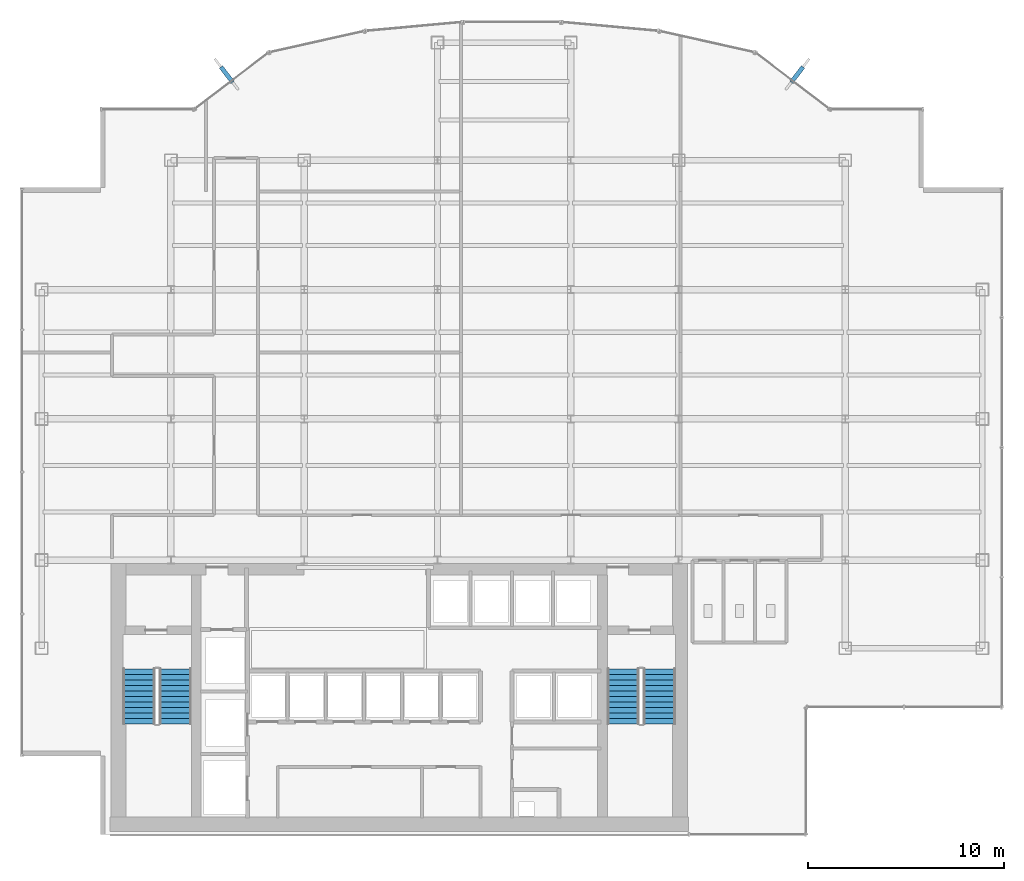
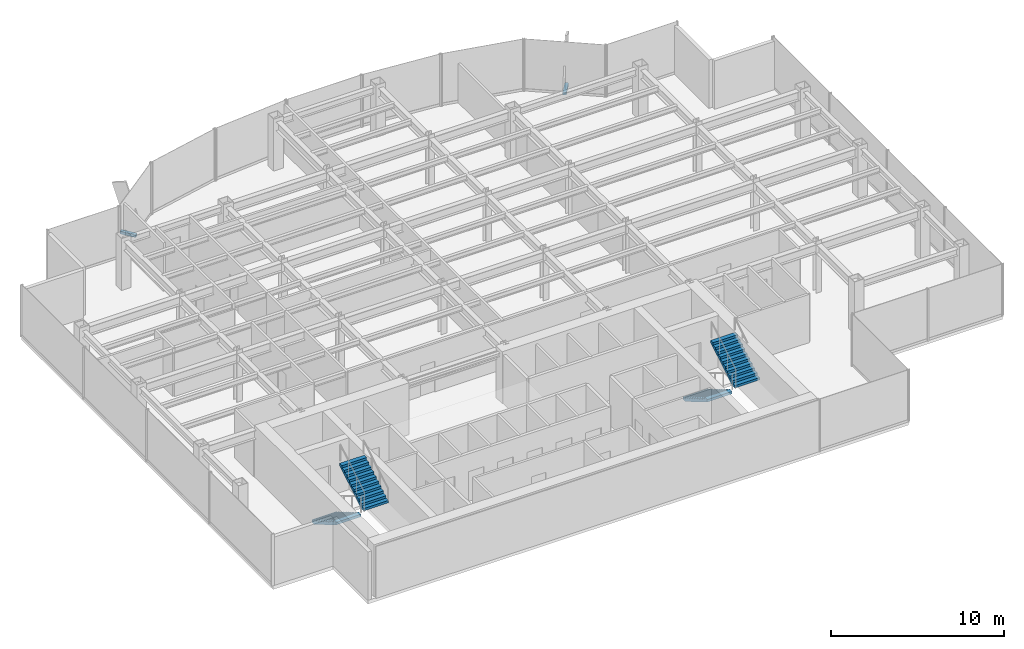
# One storey, part 22 of 25: 4 stair flights, 2 discrete accessories, 2 elements without a shape of their own.
"""IFC4 building model written with IfcOpenShell, lengths in metres."""

from ifc_helpers import new_model, si_unit, derived_unit, direction, frame, origin, origin_2d, place, context, subcontext, project, spatial, polyline, rectangle, outline, extrude, source, transform, mapped, material, type_object, element, aggregate, save


model = new_model("IFC4")

# Units and contexts
model_context = context("Model", 3, precision=1e-05, world=origin(), true_north=direction((0.0, 1.0)))
body_context = subcontext(model_context, "Body", "Model", "MODEL_VIEW")
ifc_project = project(units=[si_unit("LENGTHUNIT", "METRE"), si_unit("AREAUNIT", "SQUARE_METRE"), si_unit("VOLUMEUNIT", "CUBIC_METRE"), si_unit("PLANEANGLEUNIT", "RADIAN"), si_unit("MASSUNIT", "GRAM", prefix="KILO"), derived_unit("THERMALTRANSMITTANCEUNIT", [(si_unit("POWERUNIT", "WATT"), 1), (si_unit("LENGTHUNIT", "METRE"), -2), (si_unit("THERMODYNAMICTEMPERATUREUNIT", "KELVIN"), -1)])], contexts=[model_context])

# Site, building, storey
site_placement = place(None, origin())
site = spatial("IfcSite", under=ifc_project, at=site_placement, CompositionType="ELEMENT")
building_placement = place(site_placement, origin())
building = spatial("IfcBuilding", under=site, at=building_placement, Name="Skarnbrae Concourse Arena and Tower", CompositionType="ELEMENT")
storey_placement = place(building_placement, frame((0.0, 0.0, 155.199951171875)))
storey = spatial("IfcBuildingStorey", under=building, at=storey_placement, Name="L39", CompositionType="ELEMENT", Elevation=155.199951171875)

# Stair, stair flights
ifc_material_1 = material(Name="Concrete 40 MPa (C40/50)", Category="concrete")
stair_type = type_object("IfcStairType", Name="STAIR-DOGLEG-1650", PredefinedType="HALF_TURN_STAIR", material=ifc_material_1)
stair_1_placement = place(storey_placement, origin())
stair_1 = element("IfcStair", 1, at=stair_1_placement, inside=storey, type_object=stair_type, Name="L39 Protected Exit Stair ST-1", PredefinedType="HALF_TURN_STAIR")
stair_flight_type = type_object("IfcStairFlightType", Name="FLIGHT-STRAIGHT-1650", PredefinedType="STRAIGHT", material=ifc_material_1)
shared_shape_1 = source(origin(), body_context, "Body", "SweptSolid", [
    extrude(outline(polyline([(0.0, 0.0), (0.0, 0.166015625), (0.280029296875, 0.166015625), (0.280029296875, 0.331787109375), (0.56005859375, 0.331787109375), (0.56005859375, 0.497802734375), (0.840087890625, 0.497802734375), (0.840087890625, 0.66357421875), (1.1201171875, 0.66357421875), (1.1201171875, 0.82958984375), (1.39990234375, 0.82958984375), (1.39990234375, 0.995361328125), (1.679931640625, 0.995361328125), (1.679931640625, 1.161376953125), (1.9599609375, 1.161376953125), (1.9599609375, 1.327392578125), (2.239990234375, 1.327392578125), (2.239990234375, 1.4931640625), (2.52001953125, 1.4931640625), (2.52001953125, 1.6591796875), (2.800048828125, 1.6591796875), (2.800048828125, 1.824951171875), (2.800048828125, 1.48486328125), (0.2939453125, 0.0), (0.0, 0.0)])), frame((0.0, 0.824951171875, 0.0), z_axis=(0.0, -1.0, 0.0), x_axis=(1.0, 0.0, 0.0)), (0.0, 0.0, 1.0), 1.64990234375),
])
stair_flight_1_placement = place(storey_placement, frame((5.97509765625, 8.449951171875, 0.0), z_axis=(0.0, 0.0, 1.0), x_axis=(0.0, -1.0, 0.0)))
stair_flight_1 = element("IfcStairFlight", 2, at=stair_flight_1_placement, type_object=stair_flight_type, Name="ST-1 flight 1", NumberOfRisers=11, NumberOfTreads=10, PredefinedType="STRAIGHT", RiserHeight=0.165909091, TreadLength=0.28, context=body_context, shape_type="MappedRepresentation", body=[
    mapped(shared_shape_1, transform((0.0, 0.0, 0.0))),
])
stair_flight_2_placement = place(storey_placement, frame((7.824951171875, 5.64990234375, 1.824951171875), z_axis=(0.0, 0.0, 1.0), x_axis=(0.0, 1.0, 0.0)))
stair_flight_2 = element("IfcStairFlight", 3, at=stair_flight_2_placement, type_object=stair_flight_type, Name="ST-1 flight 2", NumberOfRisers=11, NumberOfTreads=10, PredefinedType="STRAIGHT", RiserHeight=0.165909091, TreadLength=0.28, context=body_context, shape_type="MappedRepresentation", body=[
    mapped(shared_shape_1, transform((0.0, 0.0, 0.0))),
])
aggregate(stair_1, [stair_flight_1, stair_flight_2])

stair_2_placement = place(storey_placement, origin())
stair_2 = element("IfcStair", 4, at=stair_2_placement, inside=storey, type_object=stair_type, Name="L39 Protected Exit Stair ST-2", PredefinedType="HALF_TURN_STAIR")
stair_flight_3_placement = place(storey_placement, frame((30.675048828125, 8.449951171875, 0.0), z_axis=(0.0, 0.0, 1.0), x_axis=(0.0, -1.0, 0.0)))
stair_flight_3 = element("IfcStairFlight", 5, at=stair_flight_3_placement, type_object=stair_flight_type, Name="ST-2 flight 1", NumberOfRisers=11, NumberOfTreads=10, PredefinedType="STRAIGHT", RiserHeight=0.165909091, TreadLength=0.28, context=body_context, shape_type="MappedRepresentation", body=[
    mapped(shared_shape_1, transform((0.0, 0.0, 0.0))),
])
stair_flight_4_placement = place(storey_placement, frame((32.52490234375, 5.64990234375, 1.824951171875), z_axis=(0.0, 0.0, 1.0), x_axis=(0.0, 1.0, 0.0)))
stair_flight_4 = element("IfcStairFlight", 6, at=stair_flight_4_placement, type_object=stair_flight_type, Name="ST-2 flight 2", NumberOfRisers=11, NumberOfTreads=10, PredefinedType="STRAIGHT", RiserHeight=0.165909091, TreadLength=0.28, context=body_context, shape_type="MappedRepresentation", body=[
    mapped(shared_shape_1, transform((0.0, 0.0, 0.0))),
])
aggregate(stair_2, [stair_flight_3, stair_flight_4])

# Discrete accessories
ifc_material_2 = material(Name="Bronze anodised aluminium 6063-T6", Category="aluminium")
discrete_accessory_type = type_object("IfcDiscreteAccessoryType", Name="ACC-FIN-BRACKET", PredefinedType="BRACKET", material=ifc_material_2)
shared_shape_2 = source(origin(), body_context, "Body", "SweptSolid", [
    extrude(rectangle(XDim=0.219970703125, YDim=0.97998046875, at=origin_2d()), origin(), (0.0, 0.0, 1.0), 0.179931640625),
])
for number, where, z_axis, x_axis, name in (
    (7, (39.54736328125, 38.764404296875, -0.02978515625), (0.0, 0.0, 1.0), (0.794954941871, -0.606668476513, 0.0), "L39 Bronze fin foot support bracket 08"),
    (8, (10.45263671875, 38.764404296875, -0.02978515625), (0.0, 0.0, 1.0), (0.794954941871, 0.606668476513, 0.0), "L39 Bronze fin foot support bracket 14"),
):
    element("IfcDiscreteAccessory", number, at=place(storey_placement, frame(where, z_axis=z_axis, x_axis=x_axis)), inside=storey, type_object=discrete_accessory_type, Name=name, PredefinedType="BRACKET", context=body_context, shape_type="MappedRepresentation", body=[
        mapped(shared_shape_2, transform((0.0, 0.0, 0.0))),
    ])

save(model, "model.ifc")
